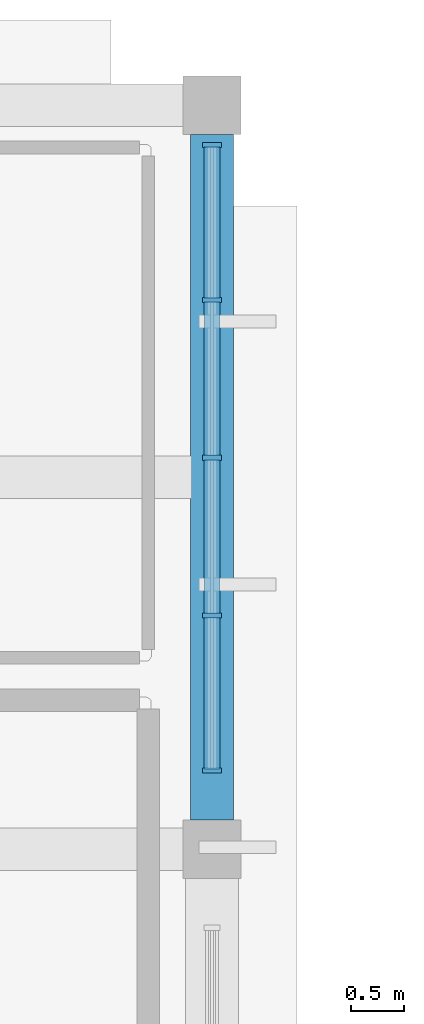
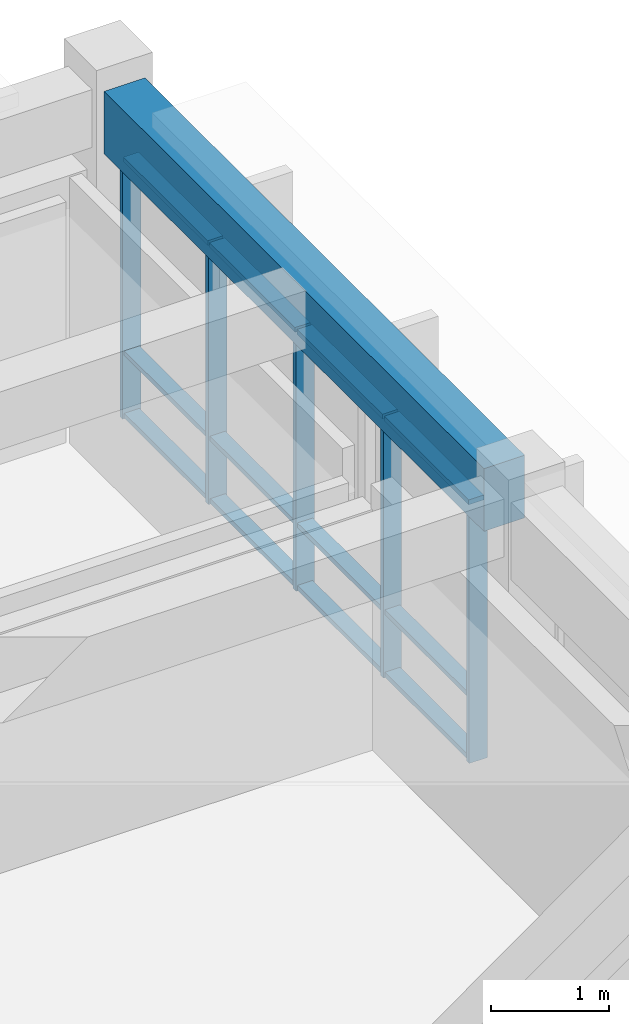
# One storey, part 13 of 23: 17 members, 1 beam, 1 element without a shape of its own.
"""IFC4 building model written with IfcOpenShell, lengths in metres."""

from ifc_helpers import new_model, si_unit, direction, frame, origin, origin_2d, place, context, subcontext, project, spatial, rectangle, extrude, material, material_profile, profile_set, type_object, element, aggregate, save


model = new_model("IFC4")

# Units and contexts
model_context = context("Model", 3, precision=1e-05, world=origin(), true_north=direction((0.0, 1.0)))
body_context = subcontext(model_context, "Body", "Model", "MODEL_VIEW")
ifc_project = project(units=[si_unit("LENGTHUNIT", "METRE"), si_unit("AREAUNIT", "SQUARE_METRE"), si_unit("VOLUMEUNIT", "CUBIC_METRE"), si_unit("PLANEANGLEUNIT", "RADIAN"), si_unit("MASSUNIT", "GRAM", prefix="KILO")], contexts=[model_context])

# Site, building, storey
site_placement = place(None, origin())
site = spatial("IfcSite", under=ifc_project, at=site_placement, CompositionType="ELEMENT")
building_placement = place(site_placement, origin())
building = spatial("IfcBuilding", under=site, at=building_placement, Name="Larkveld Mobility Hub", CompositionType="ELEMENT")
storey_placement = place(building_placement, frame((0.0, 0.0, 19.199951171875)))
storey = spatial("IfcBuildingStorey", under=building, at=storey_placement, Name="L05", CompositionType="ELEMENT", Elevation=19.199951171875)

# Beam
ifc_material_1 = material(Name="Concrete C40/50", Category="concrete")
ifc_material_profile_1 = material_profile(ifc_material_1, rectangle(XDim=0.39990234375, YDim=0.64990234375, at=origin_2d()), Name="RC BM 400x650")
ifc_profile_set_1 = profile_set([ifc_material_profile_1], Name="Concrete C40/50")
beam_type = type_object("IfcBeamType", Name="BM-RC4065", PredefinedType="BEAM", material=ifc_profile_set_1)
beam_placement = place(storey_placement, frame((152.0, 77.27490234375, 3.03515625), z_axis=(0.0, 1.0, 0.0), x_axis=(-1.0, 0.0, 0.0)))
element("IfcBeam", 1, at=beam_placement, inside=storey, type_object=beam_type, Name="Primary N-S Girder L05-0986", PredefinedType="BEAM", context=body_context, shape_type="SweptSolid", body=[
    extrude(rectangle(XDim=0.39990234375, YDim=0.64990234375, at=origin_2d()), origin(), (0.0, 0.0, 1.0), 6.4501953125),
])

# Curtain wall, members
ifc_material_2 = material(Name="Anodised aluminium 6063-T6", Category="aluminium")
curtain_wall_type = type_object("IfcCurtainWallType", Name="CW-SYS-02", PredefinedType="NOTDEFINED", material=ifc_material_2)
curtain_wall_placement = place(storey_placement, origin())
curtain_wall = element("IfcCurtainWall", 2, at=curtain_wall_placement, inside=storey, type_object=curtain_wall_type, Name="Upper Mobility and Sports East Glazing L05 CW-170", PredefinedType="NOTDEFINED")
ifc_material_profile_2 = material_profile(ifc_material_2, rectangle(XDim=0.050048828125, YDim=0.179931640625, at=origin_2d()), Name="ALU MULL 50x180")
ifc_profile_set_2 = profile_set([ifc_material_profile_2], Name="Anodised aluminium 6063-T6")
member_type_1 = type_object("IfcMemberType", Name="CW-MUL-02", PredefinedType="MULLION", material=ifc_profile_set_2)
member_1_placement = place(storey_placement, frame((152.0, 77.739990234375, -0.001953125), z_axis=(0.0, 0.0, 1.0), x_axis=(0.0, 1.0, 0.0)))
member_1 = element("IfcMember", 3, at=member_1_placement, type_object=member_type_1, Name="CW02 mullion 1", PredefinedType="MULLION", context=body_context, shape_type="SweptSolid", body=[
    extrude(rectangle(XDim=0.050048828125, YDim=0.179931640625, at=origin_2d()), origin(), (0.0, 0.0, 1.0), 2.7119140625),
])
member_2_placement = place(storey_placement, frame((152.0, 79.198974609375, -0.001953125), z_axis=(0.0, 0.0, 1.0), x_axis=(0.0, 1.0, 0.0)))
member_2 = element("IfcMember", 4, at=member_2_placement, type_object=member_type_1, Name="CW02 mullion 2", PredefinedType="MULLION", context=body_context, shape_type="SweptSolid", body=[
    extrude(rectangle(XDim=0.050048828125, YDim=0.179931640625, at=origin_2d()), origin(), (0.0, 0.0, 1.0), 2.7119140625),
])
member_3_placement = place(storey_placement, frame((152.0, 80.68310546875, -0.001953125), z_axis=(0.0, 0.0, 1.0), x_axis=(0.0, 1.0, 0.0)))
member_3 = element("IfcMember", 5, at=member_3_placement, type_object=member_type_1, Name="CW02 mullion 3", PredefinedType="MULLION", context=body_context, shape_type="SweptSolid", body=[
    extrude(rectangle(XDim=0.050048828125, YDim=0.179931640625, at=origin_2d()), origin(), (0.0, 0.0, 1.0), 2.7119140625),
])
member_4_placement = place(storey_placement, frame((152.0, 82.166015625, -0.001953125), z_axis=(0.0, 0.0, 1.0), x_axis=(0.0, 1.0, 0.0)))
member_4 = element("IfcMember", 6, at=member_4_placement, type_object=member_type_1, Name="CW02 mullion 4", PredefinedType="MULLION", context=body_context, shape_type="SweptSolid", body=[
    extrude(rectangle(XDim=0.050048828125, YDim=0.179931640625, at=origin_2d()), origin(), (0.0, 0.0, 1.0), 2.7119140625),
])
member_5_placement = place(storey_placement, frame((152.0, 83.625, -0.001953125), z_axis=(0.0, 0.0, 1.0), x_axis=(0.0, 1.0, 0.0)))
member_5 = element("IfcMember", 7, at=member_5_placement, type_object=member_type_1, Name="CW02 mullion 5", PredefinedType="MULLION", context=body_context, shape_type="SweptSolid", body=[
    extrude(rectangle(XDim=0.050048828125, YDim=0.179931640625, at=origin_2d()), origin(), (0.0, 0.0, 1.0), 2.7119140625),
])
ifc_material_profile_3 = material_profile(ifc_material_2, rectangle(XDim=0.14990234375, YDim=0.050048828125, at=origin_2d()), Name="ALU TRAN 50x150")
ifc_profile_set_3 = profile_set([ifc_material_profile_3], Name="Anodised aluminium 6063-T6")
member_type_2 = type_object("IfcMemberType", Name="CW-TRN-02", PredefinedType="USERDEFINED", material=ifc_profile_set_3)
member_6_placement = place(storey_placement, frame((152.0, 77.75, 0.030029296875), z_axis=(0.0, 1.0, 0.0), x_axis=(-1.0, 0.0, 0.0)))
member_6 = element("IfcMember", 8, at=member_6_placement, type_object=member_type_2, Name="CW02 transom 1.1", ObjectType="TRANSOM", PredefinedType="USERDEFINED", context=body_context, shape_type="SweptSolid", body=[
    extrude(rectangle(XDim=0.14990234375, YDim=0.050048828125, at=origin_2d()), origin(), (0.0, 0.0, 1.0), 1.43408203125),
])
member_7_placement = place(storey_placement, frame((152.0, 77.75, 0.677001953125), z_axis=(0.0, 1.0, 0.0), x_axis=(-1.0, 0.0, 0.0)))
member_7 = element("IfcMember", 9, at=member_7_placement, type_object=member_type_2, Name="CW02 transom 1.2", ObjectType="TRANSOM", PredefinedType="USERDEFINED", context=body_context, shape_type="SweptSolid", body=[
    extrude(rectangle(XDim=0.14990234375, YDim=0.050048828125, at=origin_2d()), origin(), (0.0, 0.0, 1.0), 1.43408203125),
])
member_8_placement = place(storey_placement, frame((152.0, 77.75, 2.677978515625), z_axis=(0.0, 1.0, 0.0), x_axis=(-1.0, 0.0, 0.0)))
member_8 = element("IfcMember", 10, at=member_8_placement, type_object=member_type_2, Name="CW02 transom 1.3", ObjectType="TRANSOM", PredefinedType="USERDEFINED", context=body_context, shape_type="SweptSolid", body=[
    extrude(rectangle(XDim=0.14990234375, YDim=0.050048828125, at=origin_2d()), origin(), (0.0, 0.0, 1.0), 1.43408203125),
])
member_9_placement = place(storey_placement, frame((152.0, 79.214111328125, 0.030029296875), z_axis=(0.0, 1.0, 0.0), x_axis=(-1.0, 0.0, 0.0)))
member_9 = element("IfcMember", 11, at=member_9_placement, type_object=member_type_2, Name="CW02 transom 2.1", ObjectType="TRANSOM", PredefinedType="USERDEFINED", context=body_context, shape_type="SweptSolid", body=[
    extrude(rectangle(XDim=0.14990234375, YDim=0.050048828125, at=origin_2d()), origin(), (0.0, 0.0, 1.0), 1.453857421875),
])
member_10_placement = place(storey_placement, frame((152.0, 79.214111328125, 0.677001953125), z_axis=(0.0, 1.0, 0.0), x_axis=(-1.0, 0.0, 0.0)))
member_10 = element("IfcMember", 12, at=member_10_placement, type_object=member_type_2, Name="CW02 transom 2.2", ObjectType="TRANSOM", PredefinedType="USERDEFINED", context=body_context, shape_type="SweptSolid", body=[
    extrude(rectangle(XDim=0.14990234375, YDim=0.050048828125, at=origin_2d()), origin(), (0.0, 0.0, 1.0), 1.453857421875),
])
member_11_placement = place(storey_placement, frame((152.0, 79.214111328125, 2.677978515625), z_axis=(0.0, 1.0, 0.0), x_axis=(-1.0, 0.0, 0.0)))
member_11 = element("IfcMember", 13, at=member_11_placement, type_object=member_type_2, Name="CW02 transom 2.3", ObjectType="TRANSOM", PredefinedType="USERDEFINED", context=body_context, shape_type="SweptSolid", body=[
    extrude(rectangle(XDim=0.14990234375, YDim=0.050048828125, at=origin_2d()), origin(), (0.0, 0.0, 1.0), 1.453857421875),
])
member_12_placement = place(storey_placement, frame((152.0, 80.697998046875, 0.030029296875), z_axis=(0.0, 1.0, 0.0), x_axis=(-1.0, 0.0, 0.0)))
member_12 = element("IfcMember", 14, at=member_12_placement, type_object=member_type_2, Name="CW02 transom 3.1", ObjectType="TRANSOM", PredefinedType="USERDEFINED", context=body_context, shape_type="SweptSolid", body=[
    extrude(rectangle(XDim=0.14990234375, YDim=0.050048828125, at=origin_2d()), origin(), (0.0, 0.0, 1.0), 1.452880859375),
])
member_13_placement = place(storey_placement, frame((152.0, 80.697998046875, 0.677001953125), z_axis=(0.0, 1.0, 0.0), x_axis=(-1.0, 0.0, 0.0)))
member_13 = element("IfcMember", 15, at=member_13_placement, type_object=member_type_2, Name="CW02 transom 3.2", ObjectType="TRANSOM", PredefinedType="USERDEFINED", context=body_context, shape_type="SweptSolid", body=[
    extrude(rectangle(XDim=0.14990234375, YDim=0.050048828125, at=origin_2d()), origin(), (0.0, 0.0, 1.0), 1.452880859375),
])
member_14_placement = place(storey_placement, frame((152.0, 80.697998046875, 2.677978515625), z_axis=(0.0, 1.0, 0.0), x_axis=(-1.0, 0.0, 0.0)))
member_14 = element("IfcMember", 16, at=member_14_placement, type_object=member_type_2, Name="CW02 transom 3.3", ObjectType="TRANSOM", PredefinedType="USERDEFINED", context=body_context, shape_type="SweptSolid", body=[
    extrude(rectangle(XDim=0.14990234375, YDim=0.050048828125, at=origin_2d()), origin(), (0.0, 0.0, 1.0), 1.452880859375),
])
member_15_placement = place(storey_placement, frame((152.0, 82.180908203125, 0.030029296875), z_axis=(0.0, 1.0, 0.0), x_axis=(-1.0, 0.0, 0.0)))
member_15 = element("IfcMember", 17, at=member_15_placement, type_object=member_type_2, Name="CW02 transom 4.1", ObjectType="TRANSOM", PredefinedType="USERDEFINED", context=body_context, shape_type="SweptSolid", body=[
    extrude(rectangle(XDim=0.14990234375, YDim=0.050048828125, at=origin_2d()), origin(), (0.0, 0.0, 1.0), 1.43408203125),
])
member_16_placement = place(storey_placement, frame((152.0, 82.180908203125, 0.677001953125), z_axis=(0.0, 1.0, 0.0), x_axis=(-1.0, 0.0, 0.0)))
member_16 = element("IfcMember", 18, at=member_16_placement, type_object=member_type_2, Name="CW02 transom 4.2", ObjectType="TRANSOM", PredefinedType="USERDEFINED", context=body_context, shape_type="SweptSolid", body=[
    extrude(rectangle(XDim=0.14990234375, YDim=0.050048828125, at=origin_2d()), origin(), (0.0, 0.0, 1.0), 1.43408203125),
])
member_17_placement = place(storey_placement, frame((152.0, 82.180908203125, 2.677978515625), z_axis=(0.0, 1.0, 0.0), x_axis=(-1.0, 0.0, 0.0)))
member_17 = element("IfcMember", 19, at=member_17_placement, type_object=member_type_2, Name="CW02 transom 4.3", ObjectType="TRANSOM", PredefinedType="USERDEFINED", context=body_context, shape_type="SweptSolid", body=[
    extrude(rectangle(XDim=0.14990234375, YDim=0.050048828125, at=origin_2d()), origin(), (0.0, 0.0, 1.0), 1.43408203125),
])
aggregate(curtain_wall, [member_1, member_2, member_3, member_4, member_5, member_6, member_7, member_8, member_9, member_10, member_11, member_12, member_13, member_14, member_15, member_16, member_17])

save(model, "model.ifc")
